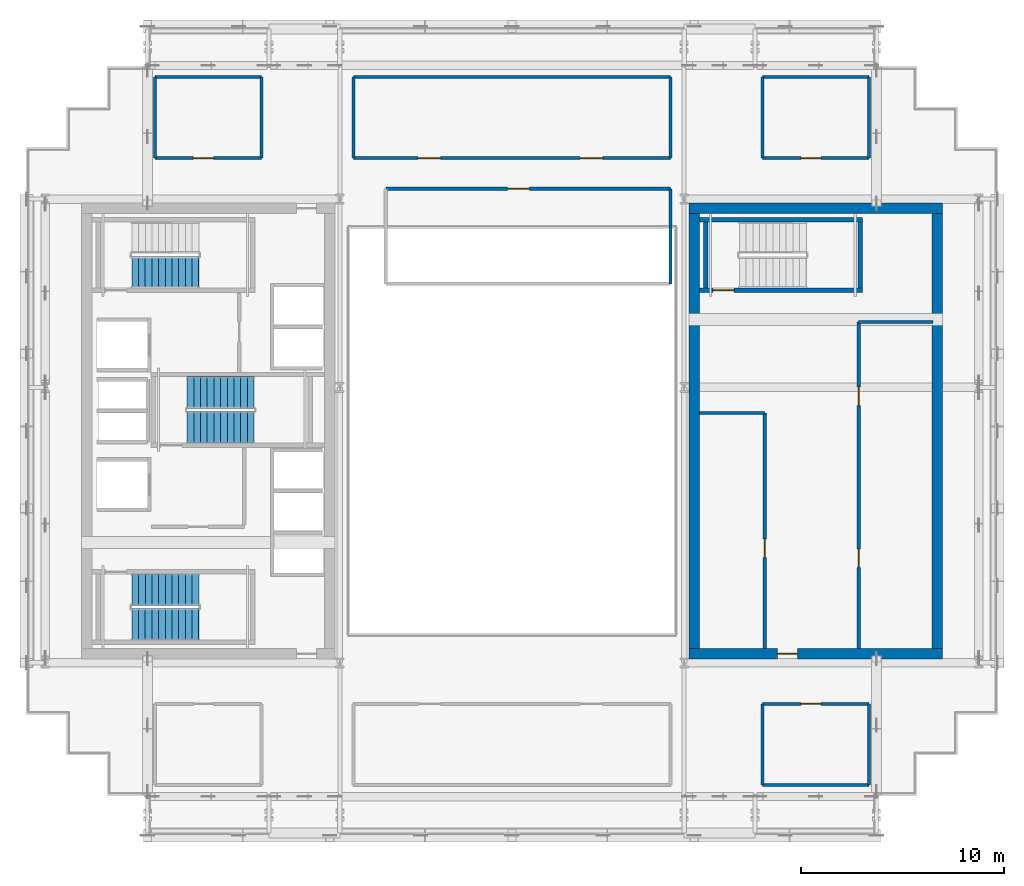
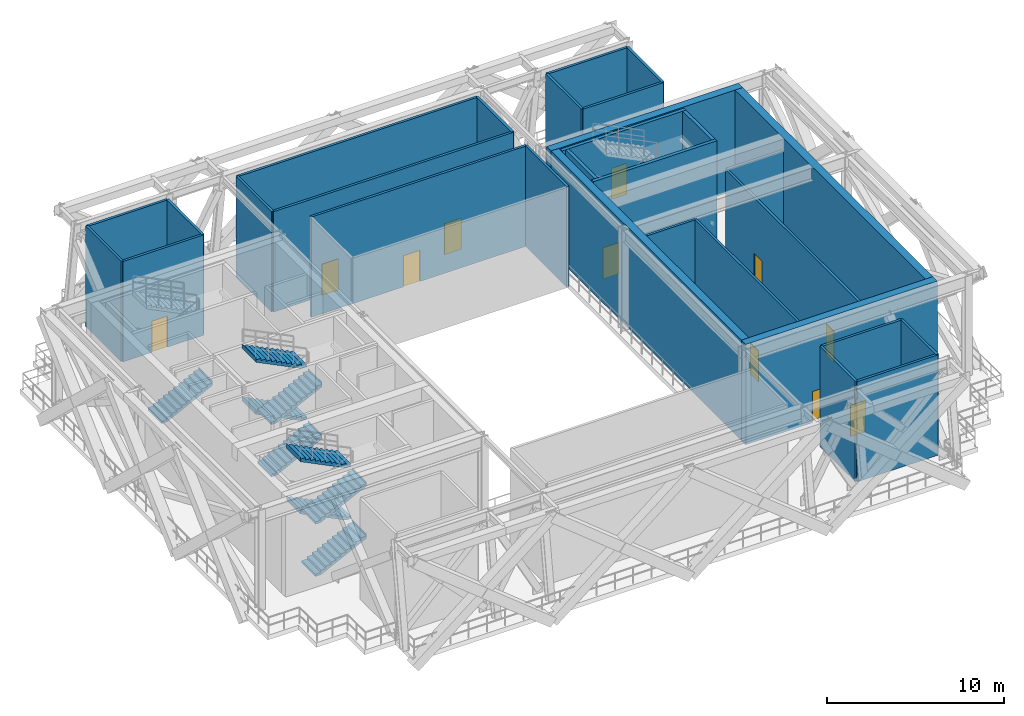
# One storey, part 7 of 13: 30 walls, 11 doors, 9 stair flights, 11 openings, 3 elements without a shape of their own.
"""IFC4 building model written with IfcOpenShell, lengths in metres."""

import ifcopenshell
import ifcopenshell.guid

model = None  # the IFC model being written
_history = None  # IfcOwnerHistory: only IFC2X3 demands one
_inside = {}  # id of a spatial element -> (the spatial element, [elements in it])
_under = {}  # id of a project, library or spatial element -> (it, [spatial elements below it])
_declared = {}  # id of a project -> (the project, [libraries it declares])
_typed = {}  # id of a type object -> (the type object, [elements of that type])
_made_of = {}  # id of a material, layer set ... -> (it, [elements and type objects made of it])


def new_model(schema):
    """Start an empty IFC model of exactly this schema.

    Asked for "IFC4X3", IfcOpenShell would pick the latest addendum, in which some entities
    have other attributes; the version numbers below select the first issue.
    IFC2X3 requires an IfcOwnerHistory on every rooted entity: one is made here for all.
    """
    global model, _history
    if schema == "IFC4X3":
        model = ifcopenshell.file(schema_version=(4, 3, 0, 0))
    else:
        model = ifcopenshell.file(schema=schema)
    _inside.clear()
    _under.clear()
    _declared.clear()
    _typed.clear()
    _made_of.clear()
    _history = None
    if model.schema == "IFC2X3":
        org = make("IfcOrganization", Name="unknown")
        user = make(
            "IfcPersonAndOrganization",
            ThePerson=make("IfcPerson", FamilyName="unknown"),
            TheOrganization=org,
        )
        app = make(
            "IfcApplication",
            ApplicationDeveloper=org,
            Version="unknown",
            ApplicationFullName="unknown",
            ApplicationIdentifier="unknown",
        )
        _history = make(
            "IfcOwnerHistory",
            OwningUser=user,
            OwningApplication=app,
            ChangeAction="ADDED",
            CreationDate=0,
        )
    return model


def make(cls, **values):
    """One entity of the class cls with the attributes given. An attribute that is None is left unset."""
    return model.create_entity(
        cls, **{name: value for name, value in values.items() if value is not None}
    )


def rooted(cls, **values):
    """An entity with a GlobalId (a new one), such as an element, a storey or a relation."""
    return make(cls, GlobalId=ifcopenshell.guid.new(), OwnerHistory=_history, **values)


def si_unit(unit_type, name, prefix=None):
    """IfcSIUnit, for example si_unit("LENGTHUNIT", "METRE", prefix="MILLI")."""
    return make("IfcSIUnit", UnitType=unit_type, Prefix=prefix, Name=name)


def assignment(units):
    """IfcUnitAssignment: the units of a project."""
    return None if units is None else make("IfcUnitAssignment", Units=units)


def point(xyz):
    """IfcCartesianPoint."""
    return None if xyz is None else make("IfcCartesianPoint", Coordinates=xyz)


def direction(xyz):
    """IfcDirection."""
    return None if xyz is None else make("IfcDirection", DirectionRatios=xyz)


def frame(location, z_axis=None, x_axis=None):
    """IfcAxis2Placement3D, a coordinate frame: its origin and axes. An axis left out is left unset."""
    return make(
        "IfcAxis2Placement3D",
        Location=point(location),
        Axis=direction(z_axis),
        RefDirection=direction(x_axis),
    )


def frame_2d(location, x_axis=None):
    """IfcAxis2Placement2D, a coordinate frame in the plane: its origin and x axis."""
    return make(
        "IfcAxis2Placement2D", Location=point(location), RefDirection=direction(x_axis)
    )


def origin():
    """The frame at (0, 0, 0) with its axes left unset."""
    return frame((0.0, 0.0, 0.0))


def place(relative_to, where):
    """IfcLocalPlacement: puts the frame where relative to a parent placement (None: the world)."""
    return make(
        "IfcLocalPlacement", PlacementRelTo=relative_to, RelativePlacement=where
    )


def context(
    kind, dimensions, precision=None, world=None, true_north=None, identifier=None
):
    """IfcGeometricRepresentationContext, for example the 3D "Model" context."""
    return make(
        "IfcGeometricRepresentationContext",
        ContextIdentifier=identifier,
        ContextType=kind,
        CoordinateSpaceDimension=dimensions,
        Precision=precision,
        WorldCoordinateSystem=world,
        TrueNorth=true_north,
    )


def subcontext(parent, identifier, kind, view, scale=None):
    """IfcGeometricRepresentationSubContext, for example "Body" below "Model"."""
    return make(
        "IfcGeometricRepresentationSubContext",
        ContextIdentifier=identifier,
        ContextType=kind,
        ParentContext=parent,
        TargetScale=scale,
        TargetView=view,
    )


def project(units=None, contexts=None):
    """IfcProject with its units and contexts."""
    return rooted(
        "IfcProject",
        Name="project",
        RepresentationContexts=contexts,
        UnitsInContext=assignment(units),
    )


def spatial(cls, under=None, at=None, **own):
    """A site, building, storey or space (cls), placed at a placement, below another one or the project."""
    s = rooted(cls, ObjectPlacement=at, **own)
    if under is not None:
        _under.setdefault(under.id(), (under, []))[1].append(s)
    return s


def polyline(points):
    """IfcPolyline through the points."""
    return make("IfcPolyline", Points=[point(p) for p in points])


def profile(cls, at=None, kind="AREA", **sizes):
    """A parametric profile (cls). Its sizes go by their IFC names, for example OverallWidth=200.0."""
    return make(cls, ProfileType=kind, Position=at, **sizes)


def rectangle(**sizes):
    """IfcRectangleProfileDef."""
    return profile("IfcRectangleProfileDef", **sizes)


def outline(outer, holes=None, kind="AREA"):
    """IfcArbitraryClosedProfileDef: a profile drawn as a closed curve; with holes, ...WithVoids."""
    if holes is None:
        return make("IfcArbitraryClosedProfileDef", ProfileType=kind, OuterCurve=outer)
    return make(
        "IfcArbitraryProfileDefWithVoids",
        ProfileType=kind,
        OuterCurve=outer,
        InnerCurves=holes,
    )


def extrude(swept, where, along, depth):
    """IfcExtrudedAreaSolid: the profile swept, set in the frame where, extruded along a direction by depth."""
    return make(
        "IfcExtrudedAreaSolid",
        SweptArea=swept,
        Position=where,
        ExtrudedDirection=direction(along),
        Depth=depth,
    )


def shape(context_of_items, identifier, shape_type, items):
    """IfcShapeRepresentation: the items that make up one representation, for example the "Body"."""
    return make(
        "IfcShapeRepresentation",
        ContextOfItems=context_of_items,
        RepresentationIdentifier=identifier,
        RepresentationType=shape_type,
        Items=items,
    )


def source(mapping_origin, context_of_items, identifier, shape_type, items):
    """IfcRepresentationMap: a shape defined once, which mapped items show again and again."""
    return make(
        "IfcRepresentationMap",
        MappingOrigin=mapping_origin,
        MappedRepresentation=shape(context_of_items, identifier, shape_type, items),
    )


def transform(
    local_origin,
    x_axis=None,
    y_axis=None,
    z_axis=None,
    scale=None,
    scale2=None,
    scale3=None,
    uniform=True,
):
    """IfcCartesianTransformationOperator3D, or its non-uniform kind. x_axis, y_axis, z_axis: its Axis1, 2, 3."""
    if uniform:
        return make(
            "IfcCartesianTransformationOperator3D",
            Axis1=direction(x_axis),
            Axis2=direction(y_axis),
            LocalOrigin=point(local_origin),
            Scale=scale,
            Axis3=direction(z_axis),
        )
    return make(
        "IfcCartesianTransformationOperator3DnonUniform",
        Axis1=direction(x_axis),
        Axis2=direction(y_axis),
        LocalOrigin=point(local_origin),
        Scale=scale,
        Axis3=direction(z_axis),
        Scale2=scale2,
        Scale3=scale3,
    )


def mapped(mapping_source, mapping_target):
    """IfcMappedItem: shows the shape of a source again, moved by a transform."""
    return make(
        "IfcMappedItem", MappingSource=mapping_source, MappingTarget=mapping_target
    )


def material(Name=None, Category=None):
    """IfcMaterial."""
    return make("IfcMaterial", Name=Name, Category=Category)


def layer(
    of_material, thickness, ventilated=None, Name=None, Category=None, Priority=None
):
    """IfcMaterialLayer: one layer of a wall or slab, of a material (None: an air gap)."""
    return make(
        "IfcMaterialLayer",
        Material=of_material,
        LayerThickness=thickness,
        IsVentilated=ventilated,
        Name=Name,
        Category=Category,
        Priority=Priority,
    )


def layer_set(layers, Name=None):
    """IfcMaterialLayerSet."""
    return make("IfcMaterialLayerSet", MaterialLayers=layers, LayerSetName=Name)


def made_of(thing, what):
    """Note that an element or type object is made of a material, layer set ...; save() writes the relation."""
    if what is not None:
        _made_of.setdefault(what.id(), (what, []))[1].append(thing)
    return thing


def type_object(cls, material=None, **own):
    """A type object (cls), such as IfcWallType, which elements share."""
    return made_of(rooted(cls, **own), material)


def element(
    cls,
    number,
    at=None,
    inside=None,
    cuts=None,
    type_object=None,
    material=None,
    context=None,
    identifier="Body",
    shape_type=None,
    held_by="IfcProductDefinitionShape",
    body=None,
    shapes=None,
    **own,
):
    """One element of the class cls, such as IfcWall. Its Tag is "e" and its number.

    at: its placement. inside: the storey or other place that contains it. cuts: it is an
    opening in that element (IfcRelVoidsElement). A single representation is given by context,
    identifier, shape_type and body (its items); several are given by shapes. held_by: the class
    of the entity that holds the representations. save() writes the other relations.
    """
    e = rooted(cls, Tag="e%d" % number, ObjectPlacement=at, **own)
    if body is not None:
        shapes = [shape(context, identifier, shape_type, body)]
    if shapes is not None:
        e.Representation = make(held_by, Representations=shapes)
    if inside is not None:
        _inside.setdefault(inside.id(), (inside, []))[1].append(e)
    if cuts is not None:
        rooted(
            "IfcRelVoidsElement", RelatingBuildingElement=cuts, RelatedOpeningElement=e
        )
    if type_object is not None:
        _typed.setdefault(type_object.id(), (type_object, []))[1].append(e)
    return made_of(e, material)


def fill(opening, filler):
    """IfcRelFillsElement: the door or window that sits in an opening."""
    return rooted(
        "IfcRelFillsElement",
        RelatingOpeningElement=opening,
        RelatedBuildingElement=filler,
    )


def aggregate(whole, parts):
    """IfcRelAggregates: a whole, such as a stair, and the parts it consists of."""
    return rooted("IfcRelAggregates", RelatingObject=whole, RelatedObjects=parts)


def save(model, path):
    """Write the relations noted so far, then the file.

    IfcRelAggregates (storeys below a building ...), IfcRelContainedInSpatialStructure (elements
    in a storey), IfcRelDefinesByType, IfcRelAssociatesMaterial and IfcRelDeclares: one each for
    every whole, place, type object, material and project.
    """
    for whole, parts in _under.values():
        aggregate(whole, parts)
    for where, things in _inside.values():
        rooted(
            "IfcRelContainedInSpatialStructure",
            RelatedElements=things,
            RelatingStructure=where,
        )
    for kind, things in _typed.values():
        rooted("IfcRelDefinesByType", RelatedObjects=things, RelatingType=kind)
    for what, things in _made_of.values():
        rooted("IfcRelAssociatesMaterial", RelatedObjects=things, RelatingMaterial=what)
    for by, libraries in _declared.values():
        rooted("IfcRelDeclares", RelatingContext=by, RelatedDefinitions=libraries)
    model.write(path)


model = new_model("IFC4")

# Units and contexts
model_context = context("Model", 3, precision=1e-05, world=origin(), true_north=direction((0.0, 1.0)))
body_context = subcontext(model_context, "Body", "Model", "MODEL_VIEW")
ifc_project = project(units=[si_unit("LENGTHUNIT", "METRE"), si_unit("AREAUNIT", "SQUARE_METRE"), si_unit("VOLUMEUNIT", "CUBIC_METRE"), si_unit("PLANEANGLEUNIT", "RADIAN"), si_unit("MASSUNIT", "GRAM", prefix="KILO")], contexts=[model_context])

# Site, building, storey
site_placement = place(None, origin())
site = spatial("IfcSite", under=ifc_project, at=site_placement, CompositionType="ELEMENT")
building_placement = place(site_placement, origin())
building = spatial("IfcBuilding", under=site, at=building_placement, Name="Ocotamira Hotel", CompositionType="ELEMENT")
storey_placement = place(building_placement, frame((0.0, 0.0, 220.800048828125)))
storey = spatial("IfcBuildingStorey", under=building, at=storey_placement, Name="L56", CompositionType="ELEMENT", Elevation=220.800048828125)

# Wall, opening, door
ifc_material_1 = material(Name="Concrete C50/60", Category="concrete")
ifc_layer_1 = layer(ifc_material_1, 0.5)
ifc_layer_set_1 = layer_set([ifc_layer_1], Name="Concrete C50/60")
wall_type_1 = type_object("IfcWallType", Name="WL-CORE-500", PredefinedType="SHEAR", material=ifc_layer_set_1)
wall_1_placement = place(storey_placement, frame((40.75, 15.0, 0.0), z_axis=(0.0, 0.0, 1.0), x_axis=(1.0, 0.0, 0.0)))
wall_1 = element("IfcWall", 1, at=wall_1_placement, inside=storey, type_object=wall_type_1, Name="L56 Shear Core Wall ECORE-S", PredefinedType="SHEAR", context=body_context, shape_type="SweptSolid", body=[
    extrude(rectangle(XDim=12.5, YDim=0.5, at=frame_2d((6.25, 0.0))), origin(), (0.0, 0.0, 1.0), 6.919921875),
])
opening_1_placement = place(wall_1_placement, frame((4.35009765625, 0.0, 0.0)))
opening_1 = element("IfcOpeningElement", 2, at=opening_1_placement, cuts=wall_1, Name="Opening D-FR2", PredefinedType="OPENING", context=body_context, shape_type="SweptSolid", body=[
    extrude(rectangle(XDim=1.0, YDim=2.14990234375, at=frame_2d((0.5, 1.074951171875))), frame((0.0, 0.260009765625, 0.0), z_axis=(0.0, -1.0, 0.0), x_axis=(1.0, 0.0, 0.0)), (0.0, 0.0, 1.0), 0.52001953125),
])
ifc_material_2 = material(Name="Fire-rated acoustic timber-veneer door", Category="wood")
door_type_1 = type_object("IfcDoorType", Name="DR-FIRE-1000", OperationType="NOTDEFINED", PredefinedType="DOOR", material=ifc_material_2)
shared_shape_1 = source(origin(), body_context, "Body", "SweptSolid", [
    extrude(rectangle(XDim=1.0, YDim=2.14990234375, at=frame_2d((0.5, 1.074951171875))), frame((0.0, 0.02490234375, 0.0), z_axis=(0.0, -1.0, 0.0), x_axis=(1.0, 0.0, 0.0)), (0.0, 0.0, 1.0), 0.050048828125),
])
door_1_placement = place(opening_1_placement, origin())
door_1 = element("IfcDoor", 3, at=door_1_placement, inside=storey, type_object=door_type_1, Name="L56 Door ID-L56-ELOB-S-D [ID-L56-ELOB-S-D]", OperationType="SINGLE_SWING_RIGHT", OverallHeight=2.14990234375, OverallWidth=1.0, PredefinedType="DOOR", context=body_context, shape_type="MappedRepresentation", body=[
    mapped(shared_shape_1, transform((0.0, 0.0, 0.0), scale=1.0)),
])
fill(opening_1, door_1)

# Walls
wall_2_placement = place(storey_placement, frame((40.75, 37.0, 0.0), z_axis=(0.0, 0.0, 1.0), x_axis=(1.0, 0.0, 0.0)))
element("IfcWall", 4, at=wall_2_placement, inside=storey, type_object=wall_type_1, Name="L56 Shear Core Wall ECORE-N", PredefinedType="SHEAR", context=body_context, shape_type="SweptSolid", body=[
    extrude(rectangle(XDim=12.5, YDim=0.5, at=frame_2d((6.25, 0.0))), origin(), (0.0, 0.0, 1.0), 6.919921875),
])
for number, where, z_axis, x_axis, name in (
    (5, (41.0, 15.25, 0.0), (0.0, 0.0, 1.0), (0.0, 1.0, 0.0), "L56 Shear Core Wall ECORE-W"),
    (6, (53.0, 15.25, 0.0), (0.0, 0.0, 1.0), (0.0, 1.0, 0.0), "L56 Shear Core Wall ECORE-E"),
):
    element("IfcWall", number, at=place(storey_placement, frame(where, z_axis=z_axis, x_axis=x_axis)), inside=storey, type_object=wall_type_1, Name=name, PredefinedType="SHEAR", context=body_context, shape_type="SweptSolid", body=[
        extrude(rectangle(XDim=21.5, YDim=0.5, at=frame_2d((10.75, 0.0))), origin(), (0.0, 0.0, 1.0), 6.919921875),
    ])
ifc_material_3 = material(Name="Acoustic double-layer fire gypsum board partition", Category="gypsum")
ifc_layer_2 = layer(ifc_material_3, 0.159912109375)
ifc_layer_set_2 = layer_set([ifc_layer_2], Name="Acoustic double-layer fire gypsum board partition")
wall_type_2 = type_object("IfcWallType", Name="WL-FIRE-160", PredefinedType="PARTITIONING", material=ifc_layer_set_2)
wall_3_placement = place(storey_placement, frame((49.1201171875, 31.3798828125, 0.0), z_axis=(0.0, 0.0, 1.0), x_axis=(1.0, 0.0, 0.0)))
element("IfcWall", 7, at=wall_3_placement, inside=storey, type_object=wall_type_2, Name="L56 Interior Wall PW-L56-EC-FLOW-N", PredefinedType="PARTITIONING", context=body_context, shape_type="SweptSolid", body=[
    extrude(rectangle(XDim=3.679931640625, YDim=0.159912109375, at=frame_2d((1.83984375, 0.0))), origin(), (0.0, 0.0, 1.0), 6.02001953125),
])

# Wall, openings, doors
wall_4_placement = place(storey_placement, frame((49.1201171875, 15.25, 0.0), z_axis=(0.0, 0.0, 1.0), x_axis=(0.0, 1.0, 0.0)))
wall_4 = element("IfcWall", 8, at=wall_4_placement, inside=storey, type_object=wall_type_2, Name="L56 Interior Wall PW-L56-EC-FLOW-W", PredefinedType="PARTITIONING", context=body_context, shape_type="SweptSolid", body=[
    extrude(rectangle(XDim=16.1298828125, YDim=0.159912109375, at=frame_2d((8.06494140625, 0.0))), origin(), (0.0, 0.0, 1.0), 5.992919921875),
])
opening_2_placement = place(wall_4_placement, frame((4.0, 0.0, 0.0)))
opening_2 = element("IfcOpeningElement", 9, at=opening_2_placement, cuts=wall_4, Name="Opening D-SV3", PredefinedType="OPENING", context=body_context, shape_type="SweptSolid", body=[
    extrude(rectangle(XDim=0.919921875, YDim=2.14990234375, at=frame_2d((0.4599609375, 1.074951171875))), frame((0.0, 0.08984375, 0.0), z_axis=(0.0, -1.0, 0.0), x_axis=(1.0, 0.0, 0.0)), (0.0, 0.0, 1.0), 0.179931640625),
])
opening_3_placement = place(wall_4_placement, frame((12.0, 0.0, 0.0)))
opening_3 = element("IfcOpeningElement", 10, at=opening_3_placement, cuts=wall_4, Name="Opening D-SV3", PredefinedType="OPENING", context=body_context, shape_type="SweptSolid", body=[
    extrude(rectangle(XDim=0.919921875, YDim=2.14990234375, at=frame_2d((0.4599609375, 1.074951171875))), frame((0.0, 0.08984375, 0.0), z_axis=(0.0, -1.0, 0.0), x_axis=(1.0, 0.0, 0.0)), (0.0, 0.0, 1.0), 0.179931640625),
])
ifc_material_4 = material(Name="Fire-rated walnut hospitality door", Category="wood")
door_type_2 = type_object("IfcDoorType", Name="DR-SERV-920", OperationType="NOTDEFINED", PredefinedType="DOOR", material=ifc_material_4)
shared_shape_2 = source(origin(), body_context, "Body", "SweptSolid", [
    extrude(rectangle(XDim=0.919921875, YDim=2.14990234375, at=frame_2d((0.4599609375, 1.074951171875))), frame((0.0, 0.02490234375, 0.0), z_axis=(0.0, -1.0, 0.0), x_axis=(1.0, 0.0, 0.0)), (0.0, 0.0, 1.0), 0.050048828125),
])
door_2_placement = place(opening_2_placement, origin())
door_2 = element("IfcDoor", 11, at=door_2_placement, inside=storey, type_object=door_type_2, Name="L56 Door ID-L56-EC-FLOW-D1 [ID-L56-EC-FLOW-D1]", OperationType="SINGLE_SWING_LEFT", OverallHeight=2.14990234375, OverallWidth=0.919921875, PredefinedType="DOOR", context=body_context, shape_type="MappedRepresentation", body=[
    mapped(shared_shape_2, transform((0.0, 0.0, 0.0), scale=1.0)),
])
fill(opening_2, door_2)
door_3_placement = place(opening_3_placement, origin())
door_3 = element("IfcDoor", 12, at=door_3_placement, inside=storey, type_object=door_type_2, Name="L56 Door ID-L56-EC-FLOW-D2 [ID-L56-EC-FLOW-D2]", OperationType="SINGLE_SWING_RIGHT", OverallHeight=2.14990234375, OverallWidth=0.919921875, PredefinedType="DOOR", context=body_context, shape_type="MappedRepresentation", body=[
    mapped(shared_shape_2, transform((0.0, 0.0, 0.0), scale=1.0)),
])
fill(opening_3, door_3)

wall_5_placement = place(storey_placement, frame((24.169921875, 39.47998046875, 0.0), z_axis=(0.0, 0.0, 1.0), x_axis=(1.0, 0.0, 0.0)))
wall_5 = element("IfcWall", 13, at=wall_5_placement, inside=storey, type_object=wall_type_2, Name="L56 Interior Wall PW-L56-L56-REFW-S", PredefinedType="PARTITIONING", context=body_context, shape_type="SweptSolid", body=[
    extrude(rectangle(XDim=15.66015625, YDim=0.159912109375, at=frame_2d((7.830078125, 0.0))), origin(), (0.0, 0.0, 1.0), 6.919921875),
])
opening_4_placement = place(wall_5_placement, frame((3.199951171875, 0.0, 0.0)))
opening_4 = element("IfcOpeningElement", 14, at=opening_4_placement, cuts=wall_5, Name="Opening D-FR1", PredefinedType="OPENING", context=body_context, shape_type="SweptSolid", body=[
    extrude(rectangle(XDim=1.10009765625, YDim=2.14990234375, at=frame_2d((0.550048828125, 1.074951171875))), frame((0.0, 0.08984375, 0.0), z_axis=(0.0, -1.0, 0.0), x_axis=(1.0, 0.0, 0.0)), (0.0, 0.0, 1.0), 0.179931640625),
])
opening_5_placement = place(wall_5_placement, frame((11.199951171875, 0.0, 0.0)))
opening_5 = element("IfcOpeningElement", 15, at=opening_5_placement, cuts=wall_5, Name="Opening D-FR1", PredefinedType="OPENING", context=body_context, shape_type="SweptSolid", body=[
    extrude(rectangle(XDim=1.10009765625, YDim=2.14990234375, at=frame_2d((0.550048828125, 1.074951171875))), frame((0.0, 0.08984375, 0.0), z_axis=(0.0, -1.0, 0.0), x_axis=(1.0, 0.0, 0.0)), (0.0, 0.0, 1.0), 0.179931640625),
])
door_type_3 = type_object("IfcDoorType", Name="DR-FIRE-1100", OperationType="NOTDEFINED", PredefinedType="DOOR", material=ifc_material_2)
shared_shape_3 = source(origin(), body_context, "Body", "SweptSolid", [
    extrude(rectangle(XDim=1.10009765625, YDim=2.14990234375, at=frame_2d((0.550048828125, 1.074951171875))), frame((0.0, 0.02490234375, 0.0), z_axis=(0.0, -1.0, 0.0), x_axis=(1.0, 0.0, 0.0)), (0.0, 0.0, 1.0), 0.050048828125),
])
door_4_placement = place(opening_4_placement, origin())
door_4 = element("IfcDoor", 16, at=door_4_placement, inside=storey, type_object=door_type_3, Name="L56 Door ID-L56-L56-REFWD1 [ID-L56-L56-REFWD1]", OperationType="SINGLE_SWING_LEFT", OverallHeight=2.14990234375, OverallWidth=1.10009765625, PredefinedType="DOOR", context=body_context, shape_type="MappedRepresentation", body=[
    mapped(shared_shape_3, transform((0.0, 0.0, 0.0), scale=1.0)),
])
fill(opening_4, door_4)
door_5_placement = place(opening_5_placement, origin())
door_5 = element("IfcDoor", 17, at=door_5_placement, inside=storey, type_object=door_type_3, Name="L56 Door ID-L56-L56-REFWD2 [ID-L56-L56-REFWD2]", OperationType="SINGLE_SWING_RIGHT", OverallHeight=2.14990234375, OverallWidth=1.10009765625, PredefinedType="DOOR", context=body_context, shape_type="MappedRepresentation", body=[
    mapped(shared_shape_3, transform((0.0, 0.0, 0.0), scale=1.0)),
])
fill(opening_5, door_5)

# Walls
for number, where, z_axis, x_axis, name in (
    (18, (24.169921875, 39.47998046875, 0.0), (0.0, 0.0, 1.0), (0.0, 1.0, 0.0), "L56 Interior Wall PW-L56-L56-REFW-W"),
    (19, (39.830078125, 39.47998046875, 0.0), (0.0, 0.0, 1.0), (0.0, 1.0, 0.0), "L56 Interior Wall PW-L56-L56-REFW-E"),
):
    element("IfcWall", number, at=place(storey_placement, frame(where, z_axis=z_axis, x_axis=x_axis)), inside=storey, type_object=wall_type_2, Name=name, PredefinedType="PARTITIONING", context=body_context, shape_type="SweptSolid", body=[
        extrude(rectangle(XDim=4.0, YDim=0.159912109375, at=frame_2d((2.0, 0.0))), origin(), (0.0, 0.0, 1.0), 6.919921875),
    ])
wall_6_placement = place(storey_placement, frame((24.169921875, 43.47998046875, 0.0), z_axis=(0.0, 0.0, 1.0), x_axis=(1.0, 0.0, 0.0)))
element("IfcWall", 20, at=wall_6_placement, inside=storey, type_object=wall_type_2, Name="L56 Interior Wall PW-L56-L56-REFW-N", PredefinedType="PARTITIONING", context=body_context, shape_type="SweptSolid", body=[
    extrude(rectangle(XDim=15.66015625, YDim=0.159912109375, at=frame_2d((7.830078125, 0.0))), origin(), (0.0, 0.0, 1.0), 6.919921875),
])

# Wall, opening, door
wall_7_placement = place(storey_placement, frame((25.77001953125, 37.9599609375, 0.0), z_axis=(0.0, 0.0, 1.0), x_axis=(1.0, 0.0, 0.0)))
wall_7 = element("IfcWall", 21, at=wall_7_placement, inside=storey, type_object=wall_type_2, Name="L56 Interior Wall PW-L56-L56-REFC-N", PredefinedType="PARTITIONING", context=body_context, shape_type="SweptSolid", body=[
    extrude(rectangle(XDim=14.06005859375, YDim=0.159912109375, at=frame_2d((7.030029296875, 0.0))), origin(), (0.0, 0.0, 1.0), 6.919921875),
])
opening_6_placement = place(wall_7_placement, frame((6.0, 0.0, 0.0)))
opening_6 = element("IfcOpeningElement", 22, at=opening_6_placement, cuts=wall_7, Name="Opening D-FR1", PredefinedType="OPENING", context=body_context, shape_type="SweptSolid", body=[
    extrude(rectangle(XDim=1.10009765625, YDim=2.14990234375, at=frame_2d((0.550048828125, 1.074951171875))), frame((0.0, 0.08984375, 0.0), z_axis=(0.0, -1.0, 0.0), x_axis=(1.0, 0.0, 0.0)), (0.0, 0.0, 1.0), 0.179931640625),
])
door_6_placement = place(opening_6_placement, origin())
door_6 = element("IfcDoor", 23, at=door_6_placement, inside=storey, type_object=door_type_3, Name="L56 Door ID-L56-L56-REFCD [ID-L56-L56-REFCD]", OperationType="SINGLE_SWING_LEFT", OverallHeight=2.14990234375, OverallWidth=1.10009765625, PredefinedType="DOOR", context=body_context, shape_type="MappedRepresentation", body=[
    mapped(shared_shape_3, transform((0.0, 0.0, 0.0), scale=1.0)),
])
fill(opening_6, door_6)

# Wall
wall_8_placement = place(storey_placement, frame((39.830078125, 33.27001953125, 0.0), z_axis=(0.0, 0.0, 1.0), x_axis=(0.0, 1.0, 0.0)))
element("IfcWall", 24, at=wall_8_placement, inside=storey, type_object=wall_type_2, Name="L56 Interior Wall PW-L56-L56-REFC-E", PredefinedType="PARTITIONING", context=body_context, shape_type="SweptSolid", body=[
    extrude(rectangle(XDim=4.68994140625, YDim=0.159912109375, at=frame_2d((2.344970703125, 0.0))), origin(), (0.0, 0.0, 1.0), 6.919921875),
])

# Wall, opening, door
wall_9_placement = place(storey_placement, frame((14.3701171875, 39.47998046875, 0.0), z_axis=(0.0, 0.0, 1.0), x_axis=(1.0, 0.0, 0.0)))
wall_9 = element("IfcWall", 25, at=wall_9_placement, inside=storey, type_object=wall_type_2, Name="L56 Interior Wall PW-L56-L56-PUMP-F", PredefinedType="PARTITIONING", context=body_context, shape_type="SweptSolid", body=[
    extrude(rectangle(XDim=5.259765625, YDim=0.159912109375, at=frame_2d((2.6298828125, 0.0))), origin(), (0.0, 0.0, 1.0), 6.919921875),
])
opening_7_placement = place(wall_9_placement, frame((1.89990234375, 0.0, 0.0)))
opening_7 = element("IfcOpeningElement", 26, at=opening_7_placement, cuts=wall_9, Name="Opening D-FR2", PredefinedType="OPENING", context=body_context, shape_type="SweptSolid", body=[
    extrude(rectangle(XDim=1.0, YDim=2.14990234375, at=frame_2d((0.5, 1.074951171875))), frame((0.0, 0.08984375, 0.0), z_axis=(0.0, -1.0, 0.0), x_axis=(1.0, 0.0, 0.0)), (0.0, 0.0, 1.0), 0.179931640625),
])
door_7_placement = place(opening_7_placement, origin())
door_7 = element("IfcDoor", 27, at=door_7_placement, inside=storey, type_object=door_type_1, Name="L56 Door ID-L56-L56-PUMP-D [ID-L56-L56-PUMP-D]", OperationType="SINGLE_SWING_LEFT", OverallHeight=2.14990234375, OverallWidth=1.0, PredefinedType="DOOR", context=body_context, shape_type="MappedRepresentation", body=[
    mapped(shared_shape_1, transform((0.0, 0.0, 0.0), scale=1.0)),
])
fill(opening_7, door_7)

# Walls
wall_10_placement = place(storey_placement, frame((14.3701171875, 43.47998046875, 0.0), z_axis=(0.0, 0.0, 1.0), x_axis=(1.0, 0.0, 0.0)))
element("IfcWall", 28, at=wall_10_placement, inside=storey, type_object=wall_type_2, Name="L56 Interior Wall PW-L56-L56-PUMP-B", PredefinedType="PARTITIONING", context=body_context, shape_type="SweptSolid", body=[
    extrude(rectangle(XDim=5.259765625, YDim=0.159912109375, at=frame_2d((2.6298828125, 0.0))), origin(), (0.0, 0.0, 1.0), 6.919921875),
])
for number, where, z_axis, x_axis, name in (
    (29, (14.3701171875, 39.47998046875, 0.0), (0.0, 0.0, 1.0), (0.0, 1.0, 0.0), "L56 Interior Wall PW-L56-L56-PUMP-W"),
    (30, (19.6298828125, 39.47998046875, 0.0), (0.0, 0.0, 1.0), (0.0, 1.0, 0.0), "L56 Interior Wall PW-L56-L56-PUMP-E"),
):
    element("IfcWall", number, at=place(storey_placement, frame(where, z_axis=z_axis, x_axis=x_axis)), inside=storey, type_object=wall_type_2, Name=name, PredefinedType="PARTITIONING", context=body_context, shape_type="SweptSolid", body=[
        extrude(rectangle(XDim=4.0, YDim=0.159912109375, at=frame_2d((2.0, 0.0))), origin(), (0.0, 0.0, 1.0), 6.919921875),
    ])

# Wall, opening, door
wall_11_placement = place(storey_placement, frame((44.3701171875, 39.47998046875, 0.0), z_axis=(0.0, 0.0, 1.0), x_axis=(1.0, 0.0, 0.0)))
wall_11 = element("IfcWall", 31, at=wall_11_placement, inside=storey, type_object=wall_type_2, Name="L56 Interior Wall PW-L56-L56-ELEC-F", PredefinedType="PARTITIONING", context=body_context, shape_type="SweptSolid", body=[
    extrude(rectangle(XDim=5.259765625, YDim=0.159912109375, at=frame_2d((2.6298828125, 0.0))), origin(), (0.0, 0.0, 1.0), 6.919921875),
])
opening_8_placement = place(wall_11_placement, frame((1.89990234375, 0.0, 0.0)))
opening_8 = element("IfcOpeningElement", 32, at=opening_8_placement, cuts=wall_11, Name="Opening D-FR2", PredefinedType="OPENING", context=body_context, shape_type="SweptSolid", body=[
    extrude(rectangle(XDim=1.0, YDim=2.14990234375, at=frame_2d((0.5, 1.074951171875))), frame((0.0, 0.08984375, 0.0), z_axis=(0.0, -1.0, 0.0), x_axis=(1.0, 0.0, 0.0)), (0.0, 0.0, 1.0), 0.179931640625),
])
door_8_placement = place(opening_8_placement, origin())
door_8 = element("IfcDoor", 33, at=door_8_placement, inside=storey, type_object=door_type_1, Name="L56 Door ID-L56-L56-ELEC-D [ID-L56-L56-ELEC-D]", OperationType="SINGLE_SWING_LEFT", OverallHeight=2.14990234375, OverallWidth=1.0, PredefinedType="DOOR", context=body_context, shape_type="MappedRepresentation", body=[
    mapped(shared_shape_1, transform((0.0, 0.0, 0.0), scale=1.0)),
])
fill(opening_8, door_8)

# Walls
wall_12_placement = place(storey_placement, frame((44.3701171875, 43.47998046875, 0.0), z_axis=(0.0, 0.0, 1.0), x_axis=(1.0, 0.0, 0.0)))
element("IfcWall", 34, at=wall_12_placement, inside=storey, type_object=wall_type_2, Name="L56 Interior Wall PW-L56-L56-ELEC-B", PredefinedType="PARTITIONING", context=body_context, shape_type="SweptSolid", body=[
    extrude(rectangle(XDim=5.259765625, YDim=0.159912109375, at=frame_2d((2.6298828125, 0.0))), origin(), (0.0, 0.0, 1.0), 6.919921875),
])
for number, where, z_axis, x_axis, name in (
    (35, (44.3701171875, 39.47998046875, 0.0), (0.0, 0.0, 1.0), (0.0, 1.0, 0.0), "L56 Interior Wall PW-L56-L56-ELEC-W"),
    (36, (49.6298828125, 39.47998046875, 0.0), (0.0, 0.0, 1.0), (0.0, 1.0, 0.0), "L56 Interior Wall PW-L56-L56-ELEC-E"),
):
    element("IfcWall", number, at=place(storey_placement, frame(where, z_axis=z_axis, x_axis=x_axis)), inside=storey, type_object=wall_type_2, Name=name, PredefinedType="PARTITIONING", context=body_context, shape_type="SweptSolid", body=[
        extrude(rectangle(XDim=4.0, YDim=0.159912109375, at=frame_2d((2.0, 0.0))), origin(), (0.0, 0.0, 1.0), 6.919921875),
    ])

# Wall, opening, door
wall_13_placement = place(storey_placement, frame((44.3701171875, 12.52001953125, 0.0), z_axis=(0.0, 0.0, 1.0), x_axis=(1.0, 0.0, 0.0)))
wall_13 = element("IfcWall", 37, at=wall_13_placement, inside=storey, type_object=wall_type_2, Name="L56 Interior Wall PW-L56-L56-AHU-F", PredefinedType="PARTITIONING", context=body_context, shape_type="SweptSolid", body=[
    extrude(rectangle(XDim=5.259765625, YDim=0.159912109375, at=frame_2d((2.6298828125, 0.0))), origin(), (0.0, 0.0, 1.0), 6.919921875),
])
opening_9_placement = place(wall_13_placement, frame((1.89990234375, 0.0, 0.0)))
opening_9 = element("IfcOpeningElement", 38, at=opening_9_placement, cuts=wall_13, Name="Opening D-FR2", PredefinedType="OPENING", context=body_context, shape_type="SweptSolid", body=[
    extrude(rectangle(XDim=1.0, YDim=2.14990234375, at=frame_2d((0.5, 1.074951171875))), frame((0.0, 0.08984375, 0.0), z_axis=(0.0, -1.0, 0.0), x_axis=(1.0, 0.0, 0.0)), (0.0, 0.0, 1.0), 0.179931640625),
])
door_9_placement = place(opening_9_placement, origin())
door_9 = element("IfcDoor", 39, at=door_9_placement, inside=storey, type_object=door_type_1, Name="L56 Door ID-L56-L56-AHU-D [ID-L56-L56-AHU-D]", OperationType="SINGLE_SWING_RIGHT", OverallHeight=2.14990234375, OverallWidth=1.0, PredefinedType="DOOR", context=body_context, shape_type="MappedRepresentation", body=[
    mapped(shared_shape_1, transform((0.0, 0.0, 0.0), scale=1.0)),
])
fill(opening_9, door_9)

# Walls
wall_14_placement = place(storey_placement, frame((44.3701171875, 8.52001953125, 0.0), z_axis=(0.0, 0.0, 1.0), x_axis=(1.0, 0.0, 0.0)))
element("IfcWall", 40, at=wall_14_placement, inside=storey, type_object=wall_type_2, Name="L56 Interior Wall PW-L56-L56-AHU-B", PredefinedType="PARTITIONING", context=body_context, shape_type="SweptSolid", body=[
    extrude(rectangle(XDim=5.259765625, YDim=0.159912109375, at=frame_2d((2.6298828125, 0.0))), origin(), (0.0, 0.0, 1.0), 6.919921875),
])
for number, where, z_axis, x_axis, name in (
    (41, (44.3701171875, 8.52001953125, 0.0), (0.0, 0.0, 1.0), (0.0, 1.0, 0.0), "L56 Interior Wall PW-L56-L56-AHU-W"),
    (42, (49.6298828125, 8.52001953125, 0.0), (0.0, 0.0, 1.0), (0.0, 1.0, 0.0), "L56 Interior Wall PW-L56-L56-AHU-E"),
):
    element("IfcWall", number, at=place(storey_placement, frame(where, z_axis=z_axis, x_axis=x_axis)), inside=storey, type_object=wall_type_2, Name=name, PredefinedType="PARTITIONING", context=body_context, shape_type="SweptSolid", body=[
        extrude(rectangle(XDim=4.0, YDim=0.159912109375, at=frame_2d((2.0, 0.0))), origin(), (0.0, 0.0, 1.0), 6.919921875),
    ])
ifc_material_5 = material(Name="Acoustic hospitality gypsum board partition", Category="gypsum")
ifc_layer_3 = layer(ifc_material_5, 0.14990234375)
ifc_layer_set_3 = layer_set([ifc_layer_3], Name="Acoustic hospitality gypsum board partition")
wall_type_3 = type_object("IfcWallType", Name="WL-PART-150", PredefinedType="PARTITIONING", material=ifc_layer_set_3)
wall_15_placement = place(storey_placement, frame((41.25, 26.8798828125, 0.0), z_axis=(0.0, 0.0, 1.0), x_axis=(1.0, 0.0, 0.0)))
element("IfcWall", 43, at=wall_15_placement, inside=storey, type_object=wall_type_3, Name="L56 Interior Wall PW-L56-EC-FMID-N", PredefinedType="PARTITIONING", context=body_context, shape_type="SweptSolid", body=[
    extrude(rectangle(XDim=3.22998046875, YDim=0.14990234375, at=frame_2d((1.614990234375, 0.0))), origin(), (0.0, 0.0, 1.0), 6.919921875),
])

# Wall, opening, door
wall_16_placement = place(storey_placement, frame((44.47998046875, 15.25, 0.0), z_axis=(0.0, 0.0, 1.0), x_axis=(0.0, 1.0, 0.0)))
wall_16 = element("IfcWall", 44, at=wall_16_placement, inside=storey, type_object=wall_type_3, Name="L56 Interior Wall PW-L56-EC-FMID-E", PredefinedType="PARTITIONING", context=body_context, shape_type="SweptSolid", body=[
    extrude(rectangle(XDim=11.6298828125, YDim=0.14990234375, at=frame_2d((5.81494140625, 0.0))), origin(), (0.0, 0.0, 1.0), 6.919921875),
])
opening_10_placement = place(wall_16_placement, frame((4.5, 0.0, 0.0)))
opening_10 = element("IfcOpeningElement", 45, at=opening_10_placement, cuts=wall_16, Name="Opening D-SV3", PredefinedType="OPENING", context=body_context, shape_type="SweptSolid", body=[
    extrude(rectangle(XDim=0.919921875, YDim=2.14990234375, at=frame_2d((0.4599609375, 1.074951171875))), frame((0.0, 0.0849609375, 0.0), z_axis=(0.0, -1.0, 0.0), x_axis=(1.0, 0.0, 0.0)), (0.0, 0.0, 1.0), 0.169921875),
])
door_10_placement = place(opening_10_placement, origin())
door_10 = element("IfcDoor", 46, at=door_10_placement, inside=storey, type_object=door_type_2, Name="L56 Door ID-L56-EC-FMID-D1 [ID-L56-EC-FMID-D1]", OperationType="SINGLE_SWING_RIGHT", OverallHeight=2.14990234375, OverallWidth=0.919921875, PredefinedType="DOOR", context=body_context, shape_type="MappedRepresentation", body=[
    mapped(shared_shape_2, transform((0.0, 0.0, 0.0), scale=1.0)),
])
fill(opening_10, door_10)

ifc_layer_4 = layer(ifc_material_1, 0.219970703125)
ifc_layer_set_4 = layer_set([ifc_layer_4], Name="Concrete C50/60")
wall_type_4 = type_object("IfcWallType", Name="WL-STAIR-220", PredefinedType="SHEAR", material=ifc_layer_set_4)
wall_17_placement = place(storey_placement, frame((41.25, 32.93994140625, 0.0), z_axis=(0.0, 0.0, 1.0), x_axis=(1.0, 0.0, 0.0)))
wall_17 = element("IfcWall", 47, at=wall_17_placement, inside=storey, type_object=wall_type_4, Name="L56 Stair Shaft Structural Wall ST-4-S", PredefinedType="SHEAR", context=body_context, shape_type="SweptSolid", body=[
    extrude(rectangle(XDim=8.06005859375, YDim=0.219970703125, at=frame_2d((4.030029296875, 0.0))), origin(), (0.0, 0.0, 1.0), 7.0),
])
opening_11_placement = place(wall_17_placement, frame((0.669921875, 0.0, 0.0)))
opening_11 = element("IfcOpeningElement", 48, at=opening_11_placement, cuts=wall_17, Name="Opening D-ST2", PredefinedType="OPENING", context=body_context, shape_type="SweptSolid", body=[
    extrude(rectangle(XDim=1.050048828125, YDim=2.14990234375, at=frame_2d((0.52490234375, 1.074951171875))), frame((0.0, 0.1201171875, 0.0), z_axis=(0.0, -1.0, 0.0), x_axis=(1.0, 0.0, 0.0)), (0.0, 0.0, 1.0), 0.239990234375),
])
ifc_material_6 = material(Name="Insulated painted hollow-metal fire exit door", Category="steel")
door_type_4 = type_object("IfcDoorType", Name="DR-STAIR-1050", OperationType="NOTDEFINED", PredefinedType="DOOR", material=ifc_material_6)
shared_shape_4 = source(origin(), body_context, "Body", "SweptSolid", [
    extrude(rectangle(XDim=1.050048828125, YDim=2.14990234375, at=frame_2d((0.52490234375, 1.074951171875))), frame((0.0, 0.02490234375, 0.0), z_axis=(0.0, -1.0, 0.0), x_axis=(1.0, 0.0, 0.0)), (0.0, 0.0, 1.0), 0.050048828125),
])
door_11_placement = place(opening_11_placement, origin())
door_11 = element("IfcDoor", 49, at=door_11_placement, inside=storey, type_object=door_type_4, Name="L56 Door ID-L56-STD-ST-4 [ID-L56-STD-ST-4]", OperationType="SINGLE_SWING_RIGHT", OverallHeight=2.14990234375, OverallWidth=1.050048828125, PredefinedType="DOOR", context=body_context, shape_type="MappedRepresentation", body=[
    mapped(shared_shape_4, transform((0.0, 0.0, 0.0), scale=1.0)),
])
fill(opening_11, door_11)

# Walls
wall_18_placement = place(storey_placement, frame((41.25, 36.43994140625, 0.0), z_axis=(0.0, 0.0, 1.0), x_axis=(1.0, 0.0, 0.0)))
element("IfcWall", 50, at=wall_18_placement, inside=storey, type_object=wall_type_4, Name="L56 Stair Shaft Structural Wall ST-4-N", PredefinedType="SHEAR", context=body_context, shape_type="SweptSolid", body=[
    extrude(rectangle(XDim=8.06005859375, YDim=0.219970703125, at=frame_2d((4.030029296875, 0.0))), origin(), (0.0, 0.0, 1.0), 7.0),
])
for number, where, z_axis, x_axis, name in (
    (51, (41.56005859375, 33.050048828125, 0.0), (0.0, 0.0, 1.0), (0.0, 1.0, 0.0), "L56 Stair Shaft Structural Wall ST-4-W"),
    (52, (49.199951171875, 33.050048828125, 0.0), (0.0, 0.0, 1.0), (0.0, 1.0, 0.0), "L56 Stair Shaft Structural Wall ST-4-E"),
):
    element("IfcWall", number, at=place(storey_placement, frame(where, z_axis=z_axis, x_axis=x_axis)), inside=storey, type_object=wall_type_4, Name=name, PredefinedType="SHEAR", context=body_context, shape_type="SweptSolid", body=[
        extrude(rectangle(XDim=3.280029296875, YDim=0.219970703125, at=frame_2d((1.64013671875, 0.0))), origin(), (0.0, 0.0, 1.0), 7.0),
    ])

# Stair, stair flights
ifc_material_7 = material(Name="Concrete C40/50", Category="concrete")
stair_type = type_object("IfcStairType", Name="ST-CORE-1560", PredefinedType="HALF_TURN_STAIR", material=ifc_material_7)
stair_1_placement = place(storey_placement, origin())
stair_1 = element("IfcStair", 53, at=stair_1_placement, inside=storey, type_object=stair_type, Name="L56 Exit Stair ST-1", PredefinedType="HALF_TURN_STAIR")
stair_flight_type = type_object("IfcStairFlightType", Name="STF-CORE-1560", PredefinedType="STRAIGHT", material=ifc_material_7)
shared_shape_5 = source(origin(), body_context, "Body", "SweptSolid", [
    extrude(outline(polyline([(-0.00390625, 0.0), (-0.00390625, 0.16357421875), (0.330078125, 0.16357421875), (0.330078125, 0.327392578125), (0.659912109375, 0.327392578125), (0.659912109375, 0.490966796875), (0.989990234375, 0.490966796875), (0.989990234375, 0.654541015625), (1.320068359375, 0.654541015625), (1.320068359375, 0.818115234375), (1.64990234375, 0.818115234375), (1.64990234375, 0.98193359375), (1.97998046875, 0.98193359375), (1.97998046875, 1.1455078125), (2.31005859375, 1.1455078125), (2.31005859375, 1.30908203125), (2.639892578125, 1.30908203125), (2.639892578125, 1.47265625), (2.969970703125, 1.47265625), (2.969970703125, 1.636474609375), (3.300048828125, 1.636474609375), (3.300048828125, 1.800048828125), (3.303955078125, 1.800048828125), (3.303955078125, 1.468994140625), (0.33740234375, 0.0), (-0.00390625, 0.0)])), frame((0.0, 0.780029296875, 0.0), z_axis=(0.0, -1.0, 0.0), x_axis=(1.0, 0.0, 0.0)), (0.0, 0.0, 1.0), 1.56005859375),
])
stair_flight_1_placement = place(storey_placement, frame((13.22998046875, 16.449951171875, 0.0), z_axis=(0.0, 0.0, 1.0), x_axis=(1.0, 0.0, 0.0)))
stair_flight_1 = element("IfcStairFlight", 54, at=stair_flight_1_placement, type_object=stair_flight_type, Name="ST-1 flight 1", NumberOfRisers=11, NumberOfTreads=10, PredefinedType="STRAIGHT", RiserHeight=0.163636364, TreadLength=0.33, context=body_context, shape_type="MappedRepresentation", body=[
    mapped(shared_shape_5, transform((0.0, 0.0, 0.0), scale=1.0)),
])
stair_flight_2_placement = place(storey_placement, frame((16.530029296875, 18.169921875, 1.800048828125), z_axis=(0.0, 0.0, 1.0), x_axis=(-1.0, 0.0, 0.0)))
stair_flight_2 = element("IfcStairFlight", 55, at=stair_flight_2_placement, type_object=stair_flight_type, Name="ST-1 flight 2", NumberOfRisers=11, NumberOfTreads=10, PredefinedType="STRAIGHT", RiserHeight=0.163636364, TreadLength=0.33, context=body_context, shape_type="MappedRepresentation", body=[
    mapped(shared_shape_5, transform((0.0, 0.0, 0.0), scale=1.0)),
])
stair_flight_3_placement = place(storey_placement, frame((13.22998046875, 16.449951171875, 3.599853515625), z_axis=(0.0, 0.0, 1.0), x_axis=(1.0, 0.0, 0.0)))
stair_flight_3 = element("IfcStairFlight", 56, at=stair_flight_3_placement, type_object=stair_flight_type, Name="ST-1 flight 3", NumberOfRisers=11, NumberOfTreads=10, PredefinedType="STRAIGHT", RiserHeight=0.163636364, TreadLength=0.33, context=body_context, shape_type="MappedRepresentation", body=[
    mapped(shared_shape_5, transform((0.0, 0.0, 0.0), scale=1.0)),
])
stair_flight_4_placement = place(storey_placement, frame((16.530029296875, 18.169921875, 5.39990234375), z_axis=(0.0, 0.0, 1.0), x_axis=(-1.0, 0.0, 0.0)))
stair_flight_4 = element("IfcStairFlight", 57, at=stair_flight_4_placement, type_object=stair_flight_type, Name="ST-1 flight 4", NumberOfRisers=11, NumberOfTreads=10, PredefinedType="STRAIGHT", RiserHeight=0.163636364, TreadLength=0.33, context=body_context, shape_type="MappedRepresentation", body=[
    mapped(shared_shape_5, transform((0.0, 0.0, 0.0), scale=1.0)),
])
aggregate(stair_1, [stair_flight_1, stair_flight_2, stair_flight_3, stair_flight_4])

# Stair, stair flight
stair_2_placement = place(storey_placement, origin())
stair_2 = element("IfcStair", 58, at=stair_2_placement, inside=storey, type_object=stair_type, Name="L56 Exit Stair ST-2", PredefinedType="HALF_TURN_STAIR")
stair_flight_5_placement = place(storey_placement, frame((13.22998046875, 33.830078125, 0.0), z_axis=(0.0, 0.0, 1.0), x_axis=(1.0, 0.0, 0.0)))
stair_flight_5 = element("IfcStairFlight", 59, at=stair_flight_5_placement, type_object=stair_flight_type, Name="ST-2 flight 1", NumberOfRisers=11, NumberOfTreads=10, PredefinedType="STRAIGHT", RiserHeight=0.163636364, TreadLength=0.33, context=body_context, shape_type="MappedRepresentation", body=[
    mapped(shared_shape_5, transform((0.0, 0.0, 0.0), scale=1.0)),
])
aggregate(stair_2, [stair_flight_5])

# Stair, stair flights
stair_3_placement = place(storey_placement, origin())
stair_3 = element("IfcStair", 60, at=stair_3_placement, inside=storey, type_object=stair_type, Name="L56 Exit Stair ST-3", PredefinedType="HALF_TURN_STAIR")
stair_flight_6_placement = place(storey_placement, frame((15.9599609375, 26.179931640625, 0.0), z_axis=(0.0, 0.0, 1.0), x_axis=(1.0, 0.0, 0.0)))
stair_flight_6 = element("IfcStairFlight", 61, at=stair_flight_6_placement, type_object=stair_flight_type, Name="ST-3 flight 1", NumberOfRisers=11, NumberOfTreads=10, PredefinedType="STRAIGHT", RiserHeight=0.163636364, TreadLength=0.33, context=body_context, shape_type="MappedRepresentation", body=[
    mapped(shared_shape_5, transform((0.0, 0.0, 0.0), scale=1.0)),
])
stair_flight_7_placement = place(storey_placement, frame((19.260009765625, 27.89990234375, 1.800048828125), z_axis=(0.0, 0.0, 1.0), x_axis=(-1.0, 0.0, 0.0)))
stair_flight_7 = element("IfcStairFlight", 62, at=stair_flight_7_placement, type_object=stair_flight_type, Name="ST-3 flight 2", NumberOfRisers=11, NumberOfTreads=10, PredefinedType="STRAIGHT", RiserHeight=0.163636364, TreadLength=0.33, context=body_context, shape_type="MappedRepresentation", body=[
    mapped(shared_shape_5, transform((0.0, 0.0, 0.0), scale=1.0)),
])
stair_flight_8_placement = place(storey_placement, frame((15.9599609375, 26.179931640625, 3.599853515625), z_axis=(0.0, 0.0, 1.0), x_axis=(1.0, 0.0, 0.0)))
stair_flight_8 = element("IfcStairFlight", 63, at=stair_flight_8_placement, type_object=stair_flight_type, Name="ST-3 flight 3", NumberOfRisers=11, NumberOfTreads=10, PredefinedType="STRAIGHT", RiserHeight=0.163636364, TreadLength=0.33, context=body_context, shape_type="MappedRepresentation", body=[
    mapped(shared_shape_5, transform((0.0, 0.0, 0.0), scale=1.0)),
])
stair_flight_9_placement = place(storey_placement, frame((19.260009765625, 27.89990234375, 5.39990234375), z_axis=(0.0, 0.0, 1.0), x_axis=(-1.0, 0.0, 0.0)))
stair_flight_9 = element("IfcStairFlight", 64, at=stair_flight_9_placement, type_object=stair_flight_type, Name="ST-3 flight 4", NumberOfRisers=11, NumberOfTreads=10, PredefinedType="STRAIGHT", RiserHeight=0.163636364, TreadLength=0.33, context=body_context, shape_type="MappedRepresentation", body=[
    mapped(shared_shape_5, transform((0.0, 0.0, 0.0), scale=1.0)),
])
aggregate(stair_3, [stair_flight_6, stair_flight_7, stair_flight_8, stair_flight_9])

save(model, "model.ifc")
